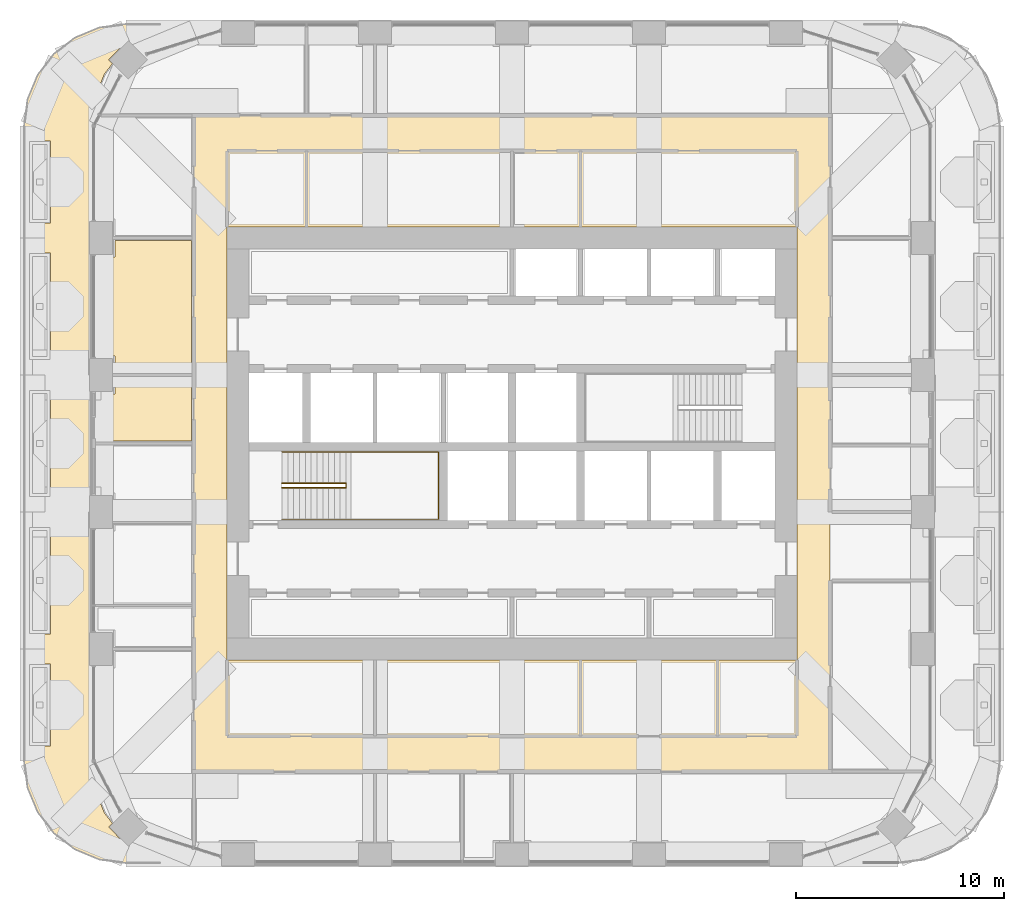
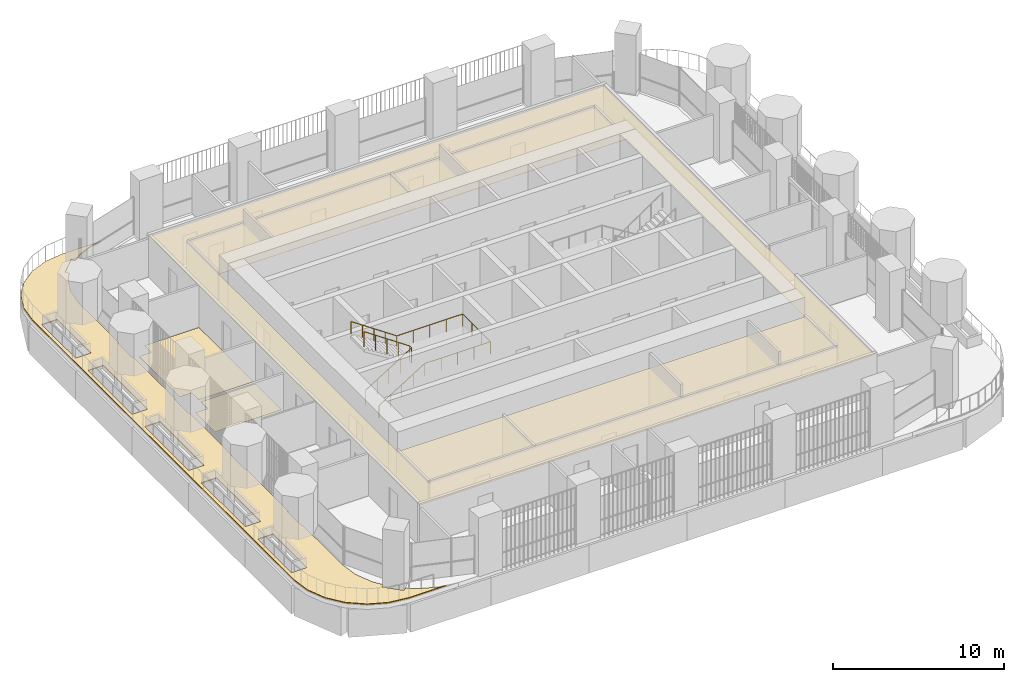
# One storey, part 20 of 24: 4 coverings, 2 railings.
"""IFC4 building model written with IfcOpenShell, lengths in metres."""

from ifc_helpers import new_model, si_unit, direction, frame, origin, place, context, subcontext, project, spatial, polyline, outline, extrude, material, layer, layer_set, type_object, element, save


model = new_model("IFC4")

# Units and contexts
model_context = context("Model", 3, precision=1e-05, world=origin(), true_north=direction((0.0, 1.0)))
body_context = subcontext(model_context, "Body", "Model", "MODEL_VIEW")
ifc_project = project(units=[si_unit("LENGTHUNIT", "METRE"), si_unit("AREAUNIT", "SQUARE_METRE"), si_unit("VOLUMEUNIT", "CUBIC_METRE"), si_unit("PLANEANGLEUNIT", "RADIAN"), si_unit("MASSUNIT", "GRAM", prefix="KILO")], contexts=[model_context])

# Site, building, storey
site_placement = place(None, origin())
site = spatial("IfcSite", under=ifc_project, at=site_placement, CompositionType="ELEMENT")
building_placement = place(site_placement, origin())
building = spatial("IfcBuilding", under=site, at=building_placement, Name="Cobogo Forest Laboratory Tower", CompositionType="ELEMENT")
storey_placement = place(building_placement, frame((0.0, 0.0, 229.199951171875)))
storey = spatial("IfcBuildingStorey", under=building, at=storey_placement, Name="L52", CompositionType="ELEMENT", Elevation=229.199951171875)

# Coverings
ifc_material_1 = material(Name="Mineral fibre ceiling tile", Category="ceiling")
ifc_layer_1 = layer(ifc_material_1, 0.02001953125)
ifc_layer_set_1 = layer_set([ifc_layer_1], Name="CL1 suspended ceiling")
covering_type_1 = type_object("IfcCoveringType", Name="CL1 suspended ceiling", PredefinedType="CEILING", material=ifc_layer_set_1)
covering_1_placement = place(storey_placement, frame((0.0, 0.0, 2.800048828125)))
element("IfcCovering", 1, at=covering_1_placement, inside=storey, type_object=covering_type_1, Name="Corridor ceiling L52", PredefinedType="CEILING", context=body_context, shape_type="SweptSolid", body=[
    extrude(outline(polyline([(11.074951171875, 7.300048828125), (11.074951171875, 38.89990234375), (41.72509765625, 38.89990234375), (41.72509765625, 7.300048828125), (11.074951171875, 7.300048828125)]), holes=[polyline([(40.125, 33.52490234375), (12.675048828125, 33.52490234375), (12.675048828125, 12.675048828125), (40.125, 12.675048828125), (40.125, 33.52490234375)])]), origin(), (0.0, 0.0, 1.0), 0.02001953125),
])
ifc_material_2 = material(Name="Carpet tile on raised access floor", Category="flooring")
ifc_layer_2 = layer(ifc_material_2, 0.008056640625)
ifc_layer_set_2 = layer_set([ifc_layer_2], Name="CT1 carpet tile floor 8")
covering_type_2 = type_object("IfcCoveringType", Name="CT1 carpet tile floor 8", PredefinedType="FLOORING", material=ifc_layer_set_2)
covering_2_placement = place(storey_placement, origin())
element("IfcCovering", 2, at=covering_2_placement, inside=storey, type_object=covering_type_2, Name="Carpet floor L52-25", PredefinedType="FLOORING", context=body_context, shape_type="SweptSolid", body=[
    extrude(outline(polyline([(10.955078125, 23.219970703125), (6.449951171875, 23.219970703125), (6.449951171875, 25.47998046875), (7.27001953125, 25.47998046875), (7.27001953125, 26.280029296875), (10.955078125, 26.280029296875), (10.955078125, 23.219970703125)])), origin(), (0.0, 0.0, 1.0), 0.008056640625),
])
covering_3_placement = place(storey_placement, origin())
element("IfcCovering", 3, at=covering_3_placement, inside=storey, type_object=covering_type_2, Name="Carpet floor L52-26", PredefinedType="FLOORING", context=body_context, shape_type="SweptSolid", body=[
    extrude(outline(polyline([(10.955078125, 26.52001953125), (7.27001953125, 26.52001953125), (7.27001953125, 27.320068359375), (6.449951171875, 27.320068359375), (6.449951171875, 32.080078125), (7.27001953125, 32.080078125), (7.27001953125, 32.8798828125), (10.955078125, 32.8798828125), (10.955078125, 26.52001953125)])), origin(), (0.0, 0.0, 1.0), 0.008056640625),
])

# Railings
ifc_material_3 = material(Name="Steel balustrade", Category="steel")
railing_type_1 = type_object("IfcRailingType", Name="GR stair guard 1100", PredefinedType="GUARDRAIL", material=ifc_material_3)
railing_1_placement = place(storey_placement, frame((15.324951171875, 20.969970703125, 0.175048828125)))
element("IfcRailing", 4, at=railing_1_placement, inside=storey, type_object=railing_type_1, Name="Stair guard ST1 L52", PredefinedType="GUARDRAIL", context=body_context, shape_type="SweptSolid", body=[
    extrude(outline(polyline([(0.022216796875, 0.00927734375), (0.00927734375, 0.022216796875), (-0.00927734375, 0.022216796875), (-0.022216796875, 0.00927734375), (-0.022216796875, -0.00927734375), (-0.00927734375, -0.022216796875), (0.00927734375, -0.022216796875), (0.022216796875, -0.00927734375), (0.022216796875, 0.00927734375)])), frame((0.0, 0.0, 1.077880859375), z_axis=(0.847998304005, 0.0, 0.529998940003), x_axis=(0.0, 1.0, 0.0)), (0.0, 0.0, 1.0), 3.632080078125),
    extrude(outline(polyline([(0.022216796875, 0.00927734375), (0.00927734375, 0.022216796875), (-0.00927734375, 0.022216796875), (-0.022216796875, 0.00927734375), (-0.022216796875, -0.00927734375), (-0.00927734375, -0.022216796875), (0.00927734375, -0.022216796875), (0.022216796875, -0.00927734375), (0.022216796875, 0.00927734375)])), frame((3.080078125, 0.0, 3.0029296875), z_axis=(0.0, 1.0, 0.0), x_axis=(-1.0, 0.0, 0.0)), (0.0, 0.0, 1.0), 0.2099609375),
    extrude(outline(polyline([(0.022216796875, 0.00927734375), (0.00927734375, 0.022216796875), (-0.00927734375, 0.022216796875), (-0.022216796875, 0.00927734375), (-0.022216796875, -0.00927734375), (-0.00927734375, -0.022216796875), (0.00927734375, -0.022216796875), (0.022216796875, -0.00927734375), (0.022216796875, 0.00927734375)])), frame((3.080078125, 0.2099609375, 3.0029296875), z_axis=(-0.826252282691, 0.0, 0.563300244406), x_axis=(0.0, -1.0, 0.0)), (0.0, 0.0, 1.0), 3.727783203125),
    extrude(outline(polyline([(0.019287109375, 0.008056640625), (0.008056640625, 0.019287109375), (-0.008056640625, 0.019287109375), (-0.019287109375, 0.008056640625), (-0.019287109375, -0.008056640625), (-0.008056640625, -0.019287109375), (0.008056640625, -0.019287109375), (0.019287109375, -0.008056640625), (0.019287109375, 0.008056640625)])), origin(), (0.0, 0.0, 1.0), 1.077880859375),
    extrude(outline(polyline([(0.019287109375, 0.008056640625), (0.008056640625, 0.019287109375), (-0.008056640625, 0.019287109375), (-0.019287109375, 0.008056640625), (-0.019287109375, -0.008056640625), (-0.008056640625, -0.019287109375), (0.008056640625, -0.019287109375), (0.019287109375, -0.008056640625), (0.019287109375, 0.008056640625)])), frame((0.77001953125, 0.0, 0.481201171875)), (0.0, 0.0, 1.0), 1.077880859375),
    extrude(outline(polyline([(0.019287109375, 0.008056640625), (0.008056640625, 0.019287109375), (-0.008056640625, 0.019287109375), (-0.019287109375, 0.008056640625), (-0.019287109375, -0.008056640625), (-0.008056640625, -0.019287109375), (0.008056640625, -0.019287109375), (0.019287109375, -0.008056640625), (0.019287109375, 0.008056640625)])), frame((1.5400390625, 0.0, 0.96240234375)), (0.0, 0.0, 1.0), 1.077880859375),
    extrude(outline(polyline([(0.019287109375, 0.008056640625), (0.008056640625, 0.019287109375), (-0.008056640625, 0.019287109375), (-0.019287109375, 0.008056640625), (-0.019287109375, -0.008056640625), (-0.008056640625, -0.019287109375), (0.008056640625, -0.019287109375), (0.019287109375, -0.008056640625), (0.019287109375, 0.008056640625)])), frame((2.31005859375, 0.0, 1.44384765625)), (0.0, 0.0, 1.0), 1.077880859375),
    extrude(outline(polyline([(0.019287109375, 0.008056640625), (0.008056640625, 0.019287109375), (-0.008056640625, 0.019287109375), (-0.019287109375, 0.008056640625), (-0.019287109375, -0.008056640625), (-0.008056640625, -0.019287109375), (0.008056640625, -0.019287109375), (0.019287109375, -0.008056640625), (0.019287109375, 0.008056640625)])), frame((3.080078125, 0.0, 1.925048828125)), (0.0, 0.0, 1.0), 1.077880859375),
    extrude(outline(polyline([(0.019287109375, 0.008056640625), (0.008056640625, 0.019287109375), (-0.008056640625, 0.019287109375), (-0.019287109375, 0.008056640625), (-0.019287109375, -0.008056640625), (-0.008056640625, -0.019287109375), (0.008056640625, -0.019287109375), (0.019287109375, -0.008056640625), (0.019287109375, 0.008056640625)])), frame((3.080078125, 0.2099609375, 1.925048828125)), (0.0, 0.0, 1.0), 1.077880859375),
    extrude(outline(polyline([(0.019287109375, 0.008056640625), (0.008056640625, 0.019287109375), (-0.008056640625, 0.019287109375), (-0.019287109375, 0.008056640625), (-0.019287109375, -0.008056640625), (-0.008056640625, -0.019287109375), (0.008056640625, -0.019287109375), (0.019287109375, -0.008056640625), (0.019287109375, 0.008056640625)])), frame((2.31005859375, 0.2099609375, 2.449951171875)), (0.0, 0.0, 1.0), 1.077880859375),
    extrude(outline(polyline([(0.019287109375, 0.008056640625), (0.008056640625, 0.019287109375), (-0.008056640625, 0.019287109375), (-0.019287109375, 0.008056640625), (-0.019287109375, -0.008056640625), (-0.008056640625, -0.019287109375), (0.008056640625, -0.019287109375), (0.019287109375, -0.008056640625), (0.019287109375, 0.008056640625)])), frame((1.5400390625, 0.2099609375, 2.97509765625)), (0.0, 0.0, 1.0), 1.077880859375),
    extrude(outline(polyline([(0.019287109375, 0.008056640625), (0.008056640625, 0.019287109375), (-0.008056640625, 0.019287109375), (-0.019287109375, 0.008056640625), (-0.019287109375, -0.008056640625), (-0.008056640625, -0.019287109375), (0.008056640625, -0.019287109375), (0.019287109375, -0.008056640625), (0.019287109375, 0.008056640625)])), frame((0.77001953125, 0.2099609375, 3.5)), (0.0, 0.0, 1.0), 1.077880859375),
    extrude(outline(polyline([(0.019287109375, 0.008056640625), (0.008056640625, 0.019287109375), (-0.008056640625, 0.019287109375), (-0.019287109375, 0.008056640625), (-0.019287109375, -0.008056640625), (-0.008056640625, -0.019287109375), (0.008056640625, -0.019287109375), (0.019287109375, -0.008056640625), (0.019287109375, 0.008056640625)])), frame((0.0, 0.2099609375, 4.02490234375)), (0.0, 0.0, 1.0), 1.077880859375),
])
ifc_material_4 = material(Name="Stainless steel handrail", Category="steel")
railing_type_2 = type_object("IfcRailingType", Name="HR handrail 900", PredefinedType="HANDRAIL", material=ifc_material_4)
railing_2_placement = place(storey_placement, frame((15.324951171875, 19.449951171875, 0.175048828125)))
element("IfcRailing", 5, at=railing_2_placement, inside=storey, type_object=railing_type_2, Name="Stair handrail ST1 L52", PredefinedType="HANDRAIL", context=body_context, shape_type="SweptSolid", body=[
    extrude(outline(polyline([(0.022216796875, 0.00927734375), (0.00927734375, 0.022216796875), (-0.00927734375, 0.022216796875), (-0.022216796875, 0.00927734375), (-0.022216796875, -0.00927734375), (-0.00927734375, -0.022216796875), (0.00927734375, -0.022216796875), (0.022216796875, -0.00927734375), (0.022216796875, 0.00927734375)])), frame((0.0, 0.0, 0.877685546875), z_axis=(0.847998304005, 0.0, 0.529998940003), x_axis=(0.0, 1.0, 0.0)), (0.0, 0.0, 1.0), 3.632080078125),
    extrude(outline(polyline([(0.022216796875, 0.00927734375), (0.00927734375, 0.022216796875), (-0.00927734375, 0.022216796875), (-0.022216796875, 0.00927734375), (-0.022216796875, -0.00927734375), (-0.00927734375, -0.022216796875), (0.00927734375, -0.022216796875), (0.022216796875, -0.00927734375), (0.022216796875, 0.00927734375)])), frame((3.080078125, 0.0, 2.802734375), z_axis=(1.0, 0.0, 0.0), x_axis=(0.0, 1.0, 0.0)), (0.0, 0.0, 1.0), 4.445068359375),
    extrude(outline(polyline([(0.022216796875, 0.00927734375), (0.00927734375, 0.022216796875), (-0.00927734375, 0.022216796875), (-0.022216796875, 0.00927734375), (-0.022216796875, -0.00927734375), (-0.00927734375, -0.022216796875), (0.00927734375, -0.022216796875), (0.022216796875, -0.00927734375), (0.022216796875, 0.00927734375)])), frame((7.525146484375, 0.0, 2.802734375), z_axis=(0.0, 1.0, 0.0), x_axis=(-1.0, 0.0, 0.0)), (0.0, 0.0, 1.0), 3.25),
    extrude(outline(polyline([(0.022216796875, 0.00927734375), (0.00927734375, 0.022216796875), (-0.00927734375, 0.022216796875), (-0.022216796875, 0.00927734375), (-0.022216796875, -0.00927734375), (-0.00927734375, -0.022216796875), (0.00927734375, -0.022216796875), (0.022216796875, -0.00927734375), (0.022216796875, 0.00927734375)])), frame((7.525146484375, 3.25, 2.802734375), z_axis=(-1.0, 0.0, 0.0), x_axis=(0.0, -1.0, 0.0)), (0.0, 0.0, 1.0), 4.445068359375),
    extrude(outline(polyline([(0.022216796875, 0.00927734375), (0.00927734375, 0.022216796875), (-0.00927734375, 0.022216796875), (-0.022216796875, 0.00927734375), (-0.022216796875, -0.00927734375), (-0.00927734375, -0.022216796875), (0.00927734375, -0.022216796875), (0.022216796875, -0.00927734375), (0.022216796875, 0.00927734375)])), frame((3.080078125, 3.25, 2.802734375), z_axis=(-0.826252282691, 0.0, 0.563300244406), x_axis=(0.0, -1.0, 0.0)), (0.0, 0.0, 1.0), 3.727783203125),
    extrude(outline(polyline([(0.019287109375, 0.008056640625), (0.008056640625, 0.019287109375), (-0.008056640625, 0.019287109375), (-0.019287109375, 0.008056640625), (-0.019287109375, -0.008056640625), (-0.008056640625, -0.019287109375), (0.008056640625, -0.019287109375), (0.019287109375, -0.008056640625), (0.019287109375, 0.008056640625)])), origin(), (0.0, 0.0, 1.0), 0.877685546875),
    extrude(outline(polyline([(0.019287109375, 0.008056640625), (0.008056640625, 0.019287109375), (-0.008056640625, 0.019287109375), (-0.019287109375, 0.008056640625), (-0.019287109375, -0.008056640625), (-0.008056640625, -0.019287109375), (0.008056640625, -0.019287109375), (0.019287109375, -0.008056640625), (0.019287109375, 0.008056640625)])), frame((0.77001953125, 0.0, 0.481201171875)), (0.0, 0.0, 1.0), 0.877685546875),
    extrude(outline(polyline([(0.019287109375, 0.008056640625), (0.008056640625, 0.019287109375), (-0.008056640625, 0.019287109375), (-0.019287109375, 0.008056640625), (-0.019287109375, -0.008056640625), (-0.008056640625, -0.019287109375), (0.008056640625, -0.019287109375), (0.019287109375, -0.008056640625), (0.019287109375, 0.008056640625)])), frame((1.5400390625, 0.0, 0.96240234375)), (0.0, 0.0, 1.0), 0.877685546875),
    extrude(outline(polyline([(0.019287109375, 0.008056640625), (0.008056640625, 0.019287109375), (-0.008056640625, 0.019287109375), (-0.019287109375, 0.008056640625), (-0.019287109375, -0.008056640625), (-0.008056640625, -0.019287109375), (0.008056640625, -0.019287109375), (0.019287109375, -0.008056640625), (0.019287109375, 0.008056640625)])), frame((2.31005859375, 0.0, 1.44384765625)), (0.0, 0.0, 1.0), 0.877685546875),
    extrude(outline(polyline([(0.019287109375, 0.008056640625), (0.008056640625, 0.019287109375), (-0.008056640625, 0.019287109375), (-0.019287109375, 0.008056640625), (-0.019287109375, -0.008056640625), (-0.008056640625, -0.019287109375), (0.008056640625, -0.019287109375), (0.019287109375, -0.008056640625), (0.019287109375, 0.008056640625)])), frame((3.080078125, 0.0, 1.925048828125)), (0.0, 0.0, 1.0), 0.877685546875),
    extrude(outline(polyline([(0.019287109375, 0.008056640625), (0.008056640625, 0.019287109375), (-0.008056640625, 0.019287109375), (-0.019287109375, 0.008056640625), (-0.019287109375, -0.008056640625), (-0.008056640625, -0.019287109375), (0.008056640625, -0.019287109375), (0.019287109375, -0.008056640625), (0.019287109375, 0.008056640625)])), frame((4.19140625, 0.0, 1.925048828125)), (0.0, 0.0, 1.0), 0.877685546875),
    extrude(outline(polyline([(0.019287109375, 0.008056640625), (0.008056640625, 0.019287109375), (-0.008056640625, 0.019287109375), (-0.019287109375, 0.008056640625), (-0.019287109375, -0.008056640625), (-0.008056640625, -0.019287109375), (0.008056640625, -0.019287109375), (0.019287109375, -0.008056640625), (0.019287109375, 0.008056640625)])), frame((5.302734375, 0.0, 1.925048828125)), (0.0, 0.0, 1.0), 0.877685546875),
    extrude(outline(polyline([(0.019287109375, 0.008056640625), (0.008056640625, 0.019287109375), (-0.008056640625, 0.019287109375), (-0.019287109375, 0.008056640625), (-0.019287109375, -0.008056640625), (-0.008056640625, -0.019287109375), (0.008056640625, -0.019287109375), (0.019287109375, -0.008056640625), (0.019287109375, 0.008056640625)])), frame((6.413818359375, 0.0, 1.925048828125)), (0.0, 0.0, 1.0), 0.877685546875),
    extrude(outline(polyline([(0.019287109375, 0.008056640625), (0.008056640625, 0.019287109375), (-0.008056640625, 0.019287109375), (-0.019287109375, 0.008056640625), (-0.019287109375, -0.008056640625), (-0.008056640625, -0.019287109375), (0.008056640625, -0.019287109375), (0.019287109375, -0.008056640625), (0.019287109375, 0.008056640625)])), frame((7.525146484375, 0.0, 1.925048828125)), (0.0, 0.0, 1.0), 0.877685546875),
    extrude(outline(polyline([(0.019287109375, 0.008056640625), (0.008056640625, 0.019287109375), (-0.008056640625, 0.019287109375), (-0.019287109375, 0.008056640625), (-0.019287109375, -0.008056640625), (-0.008056640625, -0.019287109375), (0.008056640625, -0.019287109375), (0.019287109375, -0.008056640625), (0.019287109375, 0.008056640625)])), frame((7.525146484375, 1.083251953125, 1.925048828125)), (0.0, 0.0, 1.0), 0.877685546875),
    extrude(outline(polyline([(0.019287109375, 0.008056640625), (0.008056640625, 0.019287109375), (-0.008056640625, 0.019287109375), (-0.019287109375, 0.008056640625), (-0.019287109375, -0.008056640625), (-0.008056640625, -0.019287109375), (0.008056640625, -0.019287109375), (0.019287109375, -0.008056640625), (0.019287109375, 0.008056640625)])), frame((7.525146484375, 2.166748046875, 1.925048828125)), (0.0, 0.0, 1.0), 0.877685546875),
    extrude(outline(polyline([(0.019287109375, 0.008056640625), (0.008056640625, 0.019287109375), (-0.008056640625, 0.019287109375), (-0.019287109375, 0.008056640625), (-0.019287109375, -0.008056640625), (-0.008056640625, -0.019287109375), (0.008056640625, -0.019287109375), (0.019287109375, -0.008056640625), (0.019287109375, 0.008056640625)])), frame((7.525146484375, 3.25, 1.925048828125)), (0.0, 0.0, 1.0), 0.877685546875),
    extrude(outline(polyline([(0.019287109375, 0.008056640625), (0.008056640625, 0.019287109375), (-0.008056640625, 0.019287109375), (-0.019287109375, 0.008056640625), (-0.019287109375, -0.008056640625), (-0.008056640625, -0.019287109375), (0.008056640625, -0.019287109375), (0.019287109375, -0.008056640625), (0.019287109375, 0.008056640625)])), frame((6.413818359375, 3.25, 1.925048828125)), (0.0, 0.0, 1.0), 0.877685546875),
    extrude(outline(polyline([(0.019287109375, 0.008056640625), (0.008056640625, 0.019287109375), (-0.008056640625, 0.019287109375), (-0.019287109375, 0.008056640625), (-0.019287109375, -0.008056640625), (-0.008056640625, -0.019287109375), (0.008056640625, -0.019287109375), (0.019287109375, -0.008056640625), (0.019287109375, 0.008056640625)])), frame((5.302734375, 3.25, 1.925048828125)), (0.0, 0.0, 1.0), 0.877685546875),
    extrude(outline(polyline([(0.019287109375, 0.008056640625), (0.008056640625, 0.019287109375), (-0.008056640625, 0.019287109375), (-0.019287109375, 0.008056640625), (-0.019287109375, -0.008056640625), (-0.008056640625, -0.019287109375), (0.008056640625, -0.019287109375), (0.019287109375, -0.008056640625), (0.019287109375, 0.008056640625)])), frame((4.19140625, 3.25, 1.925048828125)), (0.0, 0.0, 1.0), 0.877685546875),
    extrude(outline(polyline([(0.019287109375, 0.008056640625), (0.008056640625, 0.019287109375), (-0.008056640625, 0.019287109375), (-0.019287109375, 0.008056640625), (-0.019287109375, -0.008056640625), (-0.008056640625, -0.019287109375), (0.008056640625, -0.019287109375), (0.019287109375, -0.008056640625), (0.019287109375, 0.008056640625)])), frame((3.080078125, 3.25, 1.925048828125)), (0.0, 0.0, 1.0), 0.877685546875),
    extrude(outline(polyline([(0.019287109375, 0.008056640625), (0.008056640625, 0.019287109375), (-0.008056640625, 0.019287109375), (-0.019287109375, 0.008056640625), (-0.019287109375, -0.008056640625), (-0.008056640625, -0.019287109375), (0.008056640625, -0.019287109375), (0.019287109375, -0.008056640625), (0.019287109375, 0.008056640625)])), frame((2.31005859375, 3.25, 2.449951171875)), (0.0, 0.0, 1.0), 0.877685546875),
    extrude(outline(polyline([(0.019287109375, 0.008056640625), (0.008056640625, 0.019287109375), (-0.008056640625, 0.019287109375), (-0.019287109375, 0.008056640625), (-0.019287109375, -0.008056640625), (-0.008056640625, -0.019287109375), (0.008056640625, -0.019287109375), (0.019287109375, -0.008056640625), (0.019287109375, 0.008056640625)])), frame((1.5400390625, 3.25, 2.97509765625)), (0.0, 0.0, 1.0), 0.877685546875),
    extrude(outline(polyline([(0.019287109375, 0.008056640625), (0.008056640625, 0.019287109375), (-0.008056640625, 0.019287109375), (-0.019287109375, 0.008056640625), (-0.019287109375, -0.008056640625), (-0.008056640625, -0.019287109375), (0.008056640625, -0.019287109375), (0.019287109375, -0.008056640625), (0.019287109375, 0.008056640625)])), frame((0.77001953125, 3.25, 3.5)), (0.0, 0.0, 1.0), 0.877685546875),
    extrude(outline(polyline([(0.019287109375, 0.008056640625), (0.008056640625, 0.019287109375), (-0.008056640625, 0.019287109375), (-0.019287109375, 0.008056640625), (-0.019287109375, -0.008056640625), (-0.008056640625, -0.019287109375), (0.008056640625, -0.019287109375), (0.019287109375, -0.008056640625), (0.019287109375, 0.008056640625)])), frame((0.0, 3.25, 4.02490234375)), (0.0, 0.0, 1.0), 0.877685546875),
])

# Covering
ifc_material_5 = material(Name="Bituminous waterproofing, protection board and paving", Category="roofing")
ifc_layer_3 = layer(ifc_material_5, 0.06005859375)
ifc_layer_set_3 = layer_set([ifc_layer_3], Name="RF1 terrace and roof garden build-up 60")
covering_type_3 = type_object("IfcCoveringType", Name="RF1 terrace and roof garden build-up 60", PredefinedType="ROOFING", material=ifc_layer_set_3)
covering_4_placement = place(storey_placement, origin())
element("IfcCovering", 6, at=covering_4_placement, inside=storey, type_object=covering_type_3, Name="Terrace build-up TER-W L52", PredefinedType="ROOFING", context=body_context, shape_type="SweptSolid", body=[
    extrude(outline(polyline([(6.531982421875, 3.0673828125), (5.35009765625, 3.556884765625), (4.33544921875, 4.33544921875), (3.556884765625, 5.35009765625), (3.0673828125, 6.531982421875), (2.89990234375, 7.80322265625), (2.89990234375, 38.396728515625), (3.0673828125, 39.668212890625), (3.556884765625, 40.849853515625), (4.33544921875, 41.864501953125), (5.35009765625, 42.64306640625), (6.531982421875, 43.132568359375), (7.80322265625, 43.300048828125), (10.337158203125, 43.300048828125), (9.805908203125, 43.22998046875), (8.599853515625, 42.73046875), (8.100341796875, 42.34716796875), (7.9306640625, 42.5166015625), (7.919921875, 42.521240234375), (7.90869140625, 42.518798828125), (6.984619140625, 41.59619140625), (6.980224609375, 41.589599609375), (6.979248046875, 41.578125), (6.984619140625, 41.56787109375), (7.15283203125, 41.399658203125), (6.76953125, 40.900146484375), (6.27001953125, 39.694091796875), (6.10009765625, 38.4033203125), (6.10009765625, 33.820068359375), (6.044189453125, 33.819091796875), (6.034423828125, 33.812744140625), (6.03076171875, 33.805908203125), (6.030029296875, 33.800048828125), (6.030029296875, 32.199951171875), (6.03076171875, 32.194091796875), (6.034423828125, 32.187255859375), (6.044189453125, 32.180908203125), (6.10009765625, 32.179931640625), (6.10009765625, 27.219970703125), (6.044189453125, 27.21923828125), (6.038818359375, 27.216552734375), (6.033447265625, 27.211181640625), (6.030029296875, 27.199951171875), (6.030029296875, 25.60009765625), (6.033447265625, 25.5888671875), (6.038818359375, 25.583251953125), (6.044189453125, 25.580810546875), (6.10009765625, 25.580078125), (6.10009765625, 20.6201171875), (6.044189453125, 20.619140625), (6.038818359375, 20.61669921875), (6.033447265625, 20.611083984375), (6.030029296875, 20.60009765625), (6.030029296875, 19.0), (6.033447265625, 18.98876953125), (6.038818359375, 18.9833984375), (6.044189453125, 18.98095703125), (6.10009765625, 18.97998046875), (6.10009765625, 14.02001953125), (6.044189453125, 14.01904296875), (6.034423828125, 14.0126953125), (6.03076171875, 14.005859375), (6.030029296875, 14.0), (6.030029296875, 12.39990234375), (6.03076171875, 12.394287109375), (6.034423828125, 12.38720703125), (6.044189453125, 12.380859375), (6.10009765625, 12.3798828125), (6.10009765625, 7.796630859375), (6.27001953125, 6.505859375), (6.76953125, 5.2998046875), (7.15283203125, 4.80029296875), (6.9833984375, 4.630615234375), (6.978759765625, 4.619873046875), (6.981201171875, 4.608642578125), (7.9052734375, 3.683349609375), (7.912109375, 3.6796875), (7.91796875, 3.6787109375), (7.923828125, 3.6796875), (7.9306640625, 3.683349609375), (8.100341796875, 3.852783203125), (8.599853515625, 3.469482421875), (9.805908203125, 2.969970703125), (10.337158203125, 2.89990234375), (7.80322265625, 2.89990234375), (6.531982421875, 3.0673828125)]), holes=[polyline([(3.130859375, 12.455810546875), (3.130859375, 8.544189453125), (3.13720703125, 8.534423828125), (3.142333984375, 8.531494140625), (3.14990234375, 8.530029296875), (4.15576171875, 8.53076171875), (4.16552734375, 8.537353515625), (4.169189453125, 8.544189453125), (4.169921875, 8.550048828125), (4.169189453125, 12.455810546875), (4.16259765625, 12.465576171875), (4.15771484375, 12.468505859375), (4.14990234375, 12.469970703125), (3.14990234375, 12.469970703125), (3.142333984375, 12.468505859375), (3.13720703125, 12.465576171875), (3.130859375, 12.455810546875)]), polyline([(3.130859375, 19.055908203125), (3.13037109375, 13.946044921875), (3.13232421875, 13.940673828125), (3.13720703125, 13.9345703125), (3.142333984375, 13.931640625), (3.14990234375, 13.929931640625), (4.15380859375, 13.930419921875), (4.1611328125, 13.933349609375), (4.16552734375, 13.937255859375), (4.169189453125, 13.944091796875), (4.169921875, 13.949951171875), (4.169677734375, 19.053955078125), (4.167724609375, 19.059326171875), (4.16259765625, 19.0654296875), (4.15576171875, 19.069091796875), (4.14990234375, 19.070068359375), (3.14990234375, 19.070068359375), (3.138916015625, 19.066650390625), (3.13330078125, 19.06103515625), (3.130859375, 19.055908203125)]), polyline([(3.130859375, 25.65576171875), (3.13037109375, 20.546142578125), (3.13232421875, 20.54052734375), (3.13720703125, 20.534423828125), (3.144287109375, 20.53076171875), (3.14990234375, 20.530029296875), (4.15380859375, 20.5302734375), (4.1611328125, 20.533447265625), (4.16552734375, 20.537353515625), (4.169189453125, 20.544189453125), (4.169921875, 20.550048828125), (4.169677734375, 25.65380859375), (4.167724609375, 25.659423828125), (4.16259765625, 25.66552734375), (4.15576171875, 25.669189453125), (4.14990234375, 25.669921875), (3.14990234375, 25.669921875), (3.138916015625, 25.666748046875), (3.13330078125, 25.6611328125), (3.130859375, 25.65576171875)]), polyline([(3.130859375, 32.255859375), (3.13037109375, 27.14599609375), (3.13232421875, 27.140625), (3.13720703125, 27.134521484375), (3.144287109375, 27.130859375), (3.14990234375, 27.1298828125), (4.15380859375, 27.13037109375), (4.1611328125, 27.13330078125), (4.16552734375, 27.13720703125), (4.169189453125, 27.144287109375), (4.169921875, 27.14990234375), (4.169677734375, 32.25390625), (4.167724609375, 32.259521484375), (4.16259765625, 32.265380859375), (4.15771484375, 32.2685546875), (4.14990234375, 32.27001953125), (3.14990234375, 32.27001953125), (3.142333984375, 32.2685546875), (3.13720703125, 32.265380859375), (3.130859375, 32.255859375)]), polyline([(3.130859375, 37.65576171875), (3.130859375, 33.744140625), (3.13720703125, 33.734619140625), (3.142333984375, 33.7314453125), (3.14990234375, 33.72998046875), (4.15576171875, 33.73095703125), (4.16552734375, 33.7373046875), (4.169189453125, 33.744140625), (4.169921875, 33.75), (4.169189453125, 37.65576171875), (4.16259765625, 37.66552734375), (4.15771484375, 37.66845703125), (4.14990234375, 37.669921875), (3.14990234375, 37.669921875), (3.142333984375, 37.66845703125), (3.13720703125, 37.66552734375), (3.130859375, 37.65576171875)])]), origin(), (0.0, 0.0, 1.0), 0.06005859375),
])

save(model, "model.ifc")
